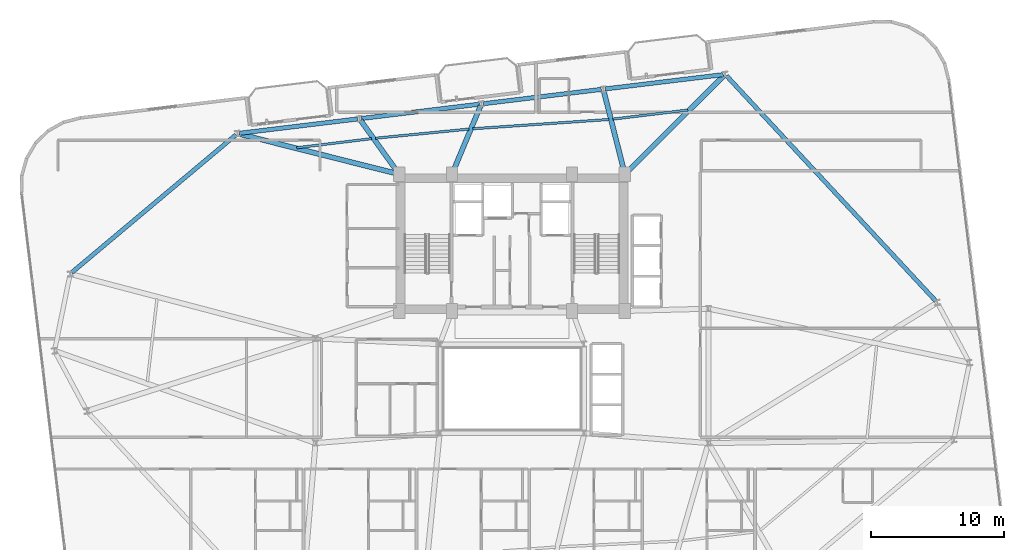
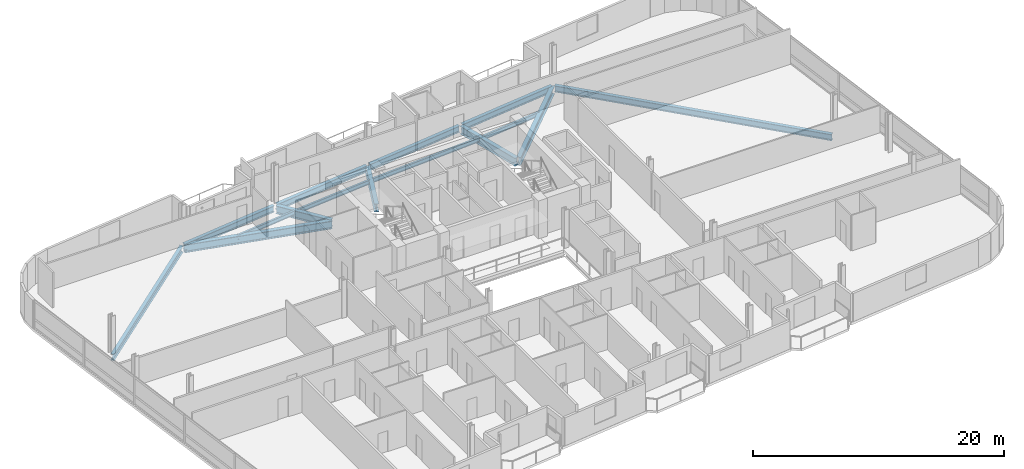
# One storey, part 9 of 23: 15 beams.
"""IFC4 building model written with IfcOpenShell, lengths in metres."""

from ifc_helpers import new_model, si_unit, direction, frame, origin, origin_2d, place, context, subcontext, project, spatial, i_section, extrude, material, material_profile, profile_set, type_object, element, save


model = new_model("IFC4")

# Units and contexts
model_context = context("Model", 3, precision=1e-05, world=origin(), true_north=direction((0.0, 1.0)))
body_context = subcontext(model_context, "Body", "Model", "MODEL_VIEW")
ifc_project = project(units=[si_unit("LENGTHUNIT", "METRE"), si_unit("AREAUNIT", "SQUARE_METRE"), si_unit("VOLUMEUNIT", "CUBIC_METRE"), si_unit("PLANEANGLEUNIT", "RADIAN"), si_unit("MASSUNIT", "GRAM", prefix="KILO")], contexts=[model_context])

# Site, building, storey
site_placement = place(None, origin())
site = spatial("IfcSite", under=ifc_project, at=site_placement, CompositionType="ELEMENT")
building_placement = place(site_placement, origin())
building = spatial("IfcBuilding", under=site, at=building_placement, Name="Varnelok Gate Tower", CompositionType="ELEMENT")
storey_placement = place(building_placement, frame((0.0, 0.0, 189.39990234375)))
storey = spatial("IfcBuildingStorey", under=building, at=storey_placement, Name="L48", CompositionType="ELEMENT", Elevation=189.39990234375)

# Beams
ifc_material = material(Name="Structural Steel ASTM A992 Grade 50", Category="steel")
ifc_material_profile_1 = material_profile(ifc_material, i_section(OverallWidth=0.180908203125, OverallDepth=0.4169921875, WebThickness=0.010986328125, FlangeThickness=0.018310546875, FilletRadius=0.013916015625, at=origin_2d()), Name="W16X57")
ifc_profile_set_1 = profile_set([ifc_material_profile_1], Name="Structural Steel ASTM A992 Grade 50")
beam_type_1 = type_object("IfcBeamType", Name="BM-JST-W16X57", PredefinedType="JOIST", material=ifc_profile_set_1)
beam_1_placement = place(storey_placement, frame((52.435546875, 43.881591796875, -0.45849609375), z_axis=(-0.992732072323, -0.12034547179, 0.0), x_axis=(0.12034547179, -0.992732072323, 0.0)))
element("IfcBeam", 1, at=beam_1_placement, inside=storey, type_object=beam_type_1, Name="L48 Sector Floor Joist 7", PredefinedType="JOIST", context=body_context, shape_type="SweptSolid", body=[
    extrude(i_section(OverallWidth=0.180908203125, OverallDepth=0.4169921875, WebThickness=0.010986328125, FlangeThickness=0.018310546875, FilletRadius=0.013916015625, at=origin_2d()), origin(), (0.0, 0.0, 1.0), 5.686279296875),
])
beam_2_placement = place(storey_placement, frame((46.511962890625, 43.1708984375, -0.45849609375), z_axis=(-0.997689983187, -0.067931564447, 0.0), x_axis=(0.067931564447, -0.997689983187, 0.0)))
element("IfcBeam", 2, at=beam_2_placement, inside=storey, type_object=beam_type_1, Name="L48 Sector Floor Joist 8", PredefinedType="JOIST", context=body_context, shape_type="SweptSolid", body=[
    extrude(i_section(OverallWidth=0.180908203125, OverallDepth=0.4169921875, WebThickness=0.010986328125, FlangeThickness=0.018310546875, FilletRadius=0.013916015625, at=origin_2d()), origin(), (0.0, 0.0, 1.0), 10.289306640625),
])
beam_3_placement = place(storey_placement, frame((35.96728515625, 42.44873046875, -0.45849609375), z_axis=(-0.995244965706, -0.097403584307, 0.0), x_axis=(0.097403584307, -0.995244965706, 0.0)))
element("IfcBeam", 3, at=beam_3_placement, inside=storey, type_object=beam_type_1, Name="L48 Sector Floor Joist 9", PredefinedType="JOIST", context=body_context, shape_type="SweptSolid", body=[
    extrude(i_section(OverallWidth=0.180908203125, OverallDepth=0.4169921875, WebThickness=0.010986328125, FlangeThickness=0.018310546875, FilletRadius=0.013916015625, at=origin_2d()), origin(), (0.0, 0.0, 1.0), 7.0908203125),
])
beam_4_placement = place(storey_placement, frame((28.6318359375, 41.7275390625, -0.45849609375), z_axis=(-0.992732072323, -0.12034547179, 0.0), x_axis=(0.12034547179, -0.992732072323, 0.0)))
element("IfcBeam", 4, at=beam_4_placement, inside=storey, type_object=beam_type_1, Name="L48 Sector Floor Joist 10", PredefinedType="JOIST", context=body_context, shape_type="SweptSolid", body=[
    extrude(i_section(OverallWidth=0.180908203125, OverallDepth=0.4169921875, WebThickness=0.010986328125, FlangeThickness=0.018310546875, FilletRadius=0.013916015625, at=origin_2d()), origin(), (0.0, 0.0, 1.0), 5.686279296875),
])
ifc_material_profile_2 = material_profile(ifc_material, i_section(OverallWidth=0.381103515625, OverallDepth=0.77294921875, WebThickness=0.0166015625, FlangeThickness=0.027099609375, FilletRadius=0.02197265625, at=origin_2d()), Name="W30X173")
ifc_profile_set_2 = profile_set([ifc_material_profile_2], Name="Structural Steel ASTM A992 Grade 50")
beam_type_2 = type_object("IfcBeamType", Name="BM-PRI-W30X173", PredefinedType="BEAM", material=ifc_profile_set_2)
beam_5_placement = place(storey_placement, frame((47.806396484375, 39.15576171875, -0.636474609375), z_axis=(0.708989690383, 0.705218844707, 0.0), x_axis=(-0.705218844707, 0.708989690383, 0.0)))
element("IfcBeam", 5, at=beam_5_placement, inside=storey, type_object=beam_type_2, Name="L48 Radial Floor Girder 9", PredefinedType="BEAM", context=body_context, shape_type="SweptSolid", body=[
    extrude(i_section(OverallWidth=0.381103515625, OverallDepth=0.77294921875, WebThickness=0.0166015625, FlangeThickness=0.027099609375, FilletRadius=0.02197265625, at=origin_2d()), origin(), (0.0, 0.0, 1.0), 10.359130859375),
])
beam_6_placement = place(storey_placement, frame((47.6630859375, 39.1953125, -0.636474609375), z_axis=(-0.246004343354, 0.969268725922, 0.0), x_axis=(-0.969268725922, -0.246004343354, 0.0)))
element("IfcBeam", 6, at=beam_6_placement, inside=storey, type_object=beam_type_2, Name="L48 Radial Floor Girder 10", PredefinedType="BEAM", context=body_context, shape_type="SweptSolid", body=[
    extrude(i_section(OverallWidth=0.381103515625, OverallDepth=0.77294921875, WebThickness=0.0166015625, FlangeThickness=0.027099609375, FilletRadius=0.02197265625, at=origin_2d()), origin(), (0.0, 0.0, 1.0), 6.306884765625),
])
beam_7_placement = place(storey_placement, frame((34.73779296875, 39.1884765625, -0.636474609375), z_axis=(0.38573799398, 0.922608367619, 0.0), x_axis=(-0.922608367619, 0.38573799398, 0.0)))
element("IfcBeam", 7, at=beam_7_placement, inside=storey, type_object=beam_type_2, Name="L48 Radial Floor Girder 11", PredefinedType="BEAM", context=body_context, shape_type="SweptSolid", body=[
    extrude(i_section(OverallWidth=0.381103515625, OverallDepth=0.77294921875, WebThickness=0.0166015625, FlangeThickness=0.027099609375, FilletRadius=0.02197265625, at=origin_2d()), origin(), (0.0, 0.0, 1.0), 5.434326171875),
])
beam_8_placement = place(storey_placement, frame((30.61279296875, 39.172119140625, -0.636474609375), z_axis=(-0.582178250272, 0.81306118153, 0.0), x_axis=(-0.81306118153, -0.582178250272, 0.0)))
element("IfcBeam", 8, at=beam_8_placement, inside=storey, type_object=beam_type_2, Name="L48 Radial Floor Girder 12", PredefinedType="BEAM", context=body_context, shape_type="SweptSolid", body=[
    extrude(i_section(OverallWidth=0.381103515625, OverallDepth=0.77294921875, WebThickness=0.0166015625, FlangeThickness=0.027099609375, FilletRadius=0.02197265625, at=origin_2d()), origin(), (0.0, 0.0, 1.0), 4.837646484375),
])
beam_9_placement = place(storey_placement, frame((30.554443359375, 39.086669921875, -0.636474609375), z_axis=(-0.969752143123, 0.244091746906, 0.0), x_axis=(-0.244091746906, -0.969752143123, 0.0)))
element("IfcBeam", 9, at=beam_9_placement, inside=storey, type_object=beam_type_2, Name="L48 Radial Floor Girder 13", PredefinedType="BEAM", context=body_context, shape_type="SweptSolid", body=[
    extrude(i_section(OverallWidth=0.381103515625, OverallDepth=0.77294921875, WebThickness=0.0166015625, FlangeThickness=0.027099609375, FilletRadius=0.02197265625, at=origin_2d()), origin(), (0.0, 0.0, 1.0), 12.25341796875),
])
ifc_material_profile_3 = material_profile(ifc_material, i_section(OverallWidth=0.323974609375, OverallDepth=0.611083984375, WebThickness=0.0126953125, FlangeThickness=0.01904296875, FilletRadius=0.01806640625, at=origin_2d()), Name="W24X104")
ifc_profile_set_3 = profile_set([ifc_material_profile_3], Name="Structural Steel ASTM A992 Grade 50")
beam_type_3 = type_object("IfcBeamType", Name="BM-SPN-W24X104", PredefinedType="SPANDREL", material=ifc_profile_set_3)
beam_10_placement = place(storey_placement, frame((71.123291015625, 29.49365234375, -0.555419921875), z_axis=(-0.680734113922, 0.732530590585, 0.0), x_axis=(-0.732530590585, -0.680734113922, 0.0)))
element("IfcBeam", 10, at=beam_10_placement, inside=storey, type_object=beam_type_3, Name="L48 Perimeter Spandrel Beam 8", PredefinedType="SPANDREL", context=body_context, shape_type="SweptSolid", body=[
    extrude(i_section(OverallWidth=0.323974609375, OverallDepth=0.611083984375, WebThickness=0.0126953125, FlangeThickness=0.01904296875, FilletRadius=0.01806640625, at=origin_2d()), origin(), (0.0, 0.0, 1.0), 23.1572265625),
])
for number, where, z_axis, x_axis, name in (
    (11, (55.1083984375, 46.548828125, -0.555419921875), (-0.992734670707, -0.120324035735, 0.0), (0.120324035735, -0.992734670707, 0.0), "L48 Perimeter Spandrel Beam 9"),
    (12, (45.92578125, 45.435791015625, -0.555419921875), (-0.99273141198, -0.120350918849, 0.0), (0.120350918849, -0.99273141198, 0.0), "L48 Perimeter Spandrel Beam 10"),
    (13, (36.742919921875, 44.322509765625, -0.555419921875), (-0.992734670707, -0.120324035735, 0.0), (0.120324035735, -0.992734670707, 0.0), "L48 Perimeter Spandrel Beam 11"),
    (14, (27.56005859375, 43.209228515625, -0.555419921875), (-0.992734670707, -0.120324035735, 0.0), (0.120324035735, -0.992734670707, 0.0), "L48 Perimeter Spandrel Beam 12"),
):
    element("IfcBeam", number, at=place(storey_placement, frame(where, z_axis=z_axis, x_axis=x_axis)), inside=storey, type_object=beam_type_3, Name=name, PredefinedType="SPANDREL", context=body_context, shape_type="SweptSolid", body=[
        extrude(i_section(OverallWidth=0.323974609375, OverallDepth=0.611083984375, WebThickness=0.0126953125, FlangeThickness=0.01904296875, FilletRadius=0.01806640625, at=origin_2d()), origin(), (0.0, 0.0, 1.0), 8.949951171875),
    ])
beam_11_placement = place(storey_placement, frame((18.411376953125, 42.017822265625, -0.555419921875), z_axis=(-0.766099582792, -0.642721891059, 0.0), x_axis=(0.642721891059, -0.766099582792, 0.0)))
element("IfcBeam", 15, at=beam_11_placement, inside=storey, type_object=beam_type_3, Name="L48 Perimeter Spandrel Beam 13", PredefinedType="SPANDREL", context=body_context, shape_type="SweptSolid", body=[
    extrude(i_section(OverallWidth=0.323974609375, OverallDepth=0.611083984375, WebThickness=0.0126953125, FlangeThickness=0.01904296875, FilletRadius=0.01806640625, at=origin_2d()), origin(), (0.0, 0.0, 1.0), 16.151123046875),
])

save(model, "model.ifc")
